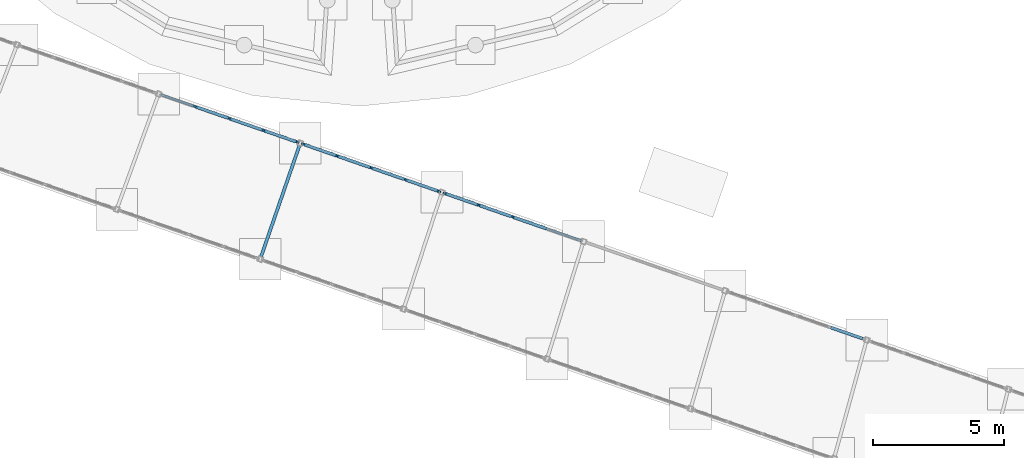
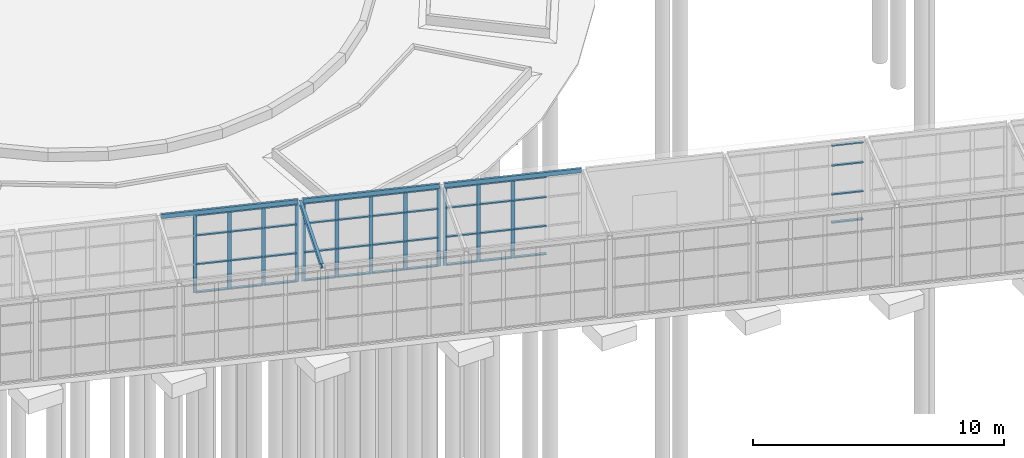
# One storey, part 54 of 226: 56 members, 4 beams, 4 elements without a shape of their own.
"""IFC4 building model written with IfcOpenShell, lengths in metres."""

from ifc_helpers import new_model, si_unit, direction, frame, origin, origin_2d, place, context, subcontext, project, spatial, rectangle, hollow_rectangle, i_section, extrude, material, material_profile, profile_set, type_object, element, aggregate, save


model = new_model("IFC4")

# Units and contexts
model_context = context("Model", 3, precision=1e-05, world=origin(), true_north=direction((0.0, 1.0)))
body_context = subcontext(model_context, "Body", "Model", "MODEL_VIEW")
ifc_project = project(units=[si_unit("LENGTHUNIT", "METRE"), si_unit("AREAUNIT", "SQUARE_METRE"), si_unit("VOLUMEUNIT", "CUBIC_METRE"), si_unit("PLANEANGLEUNIT", "RADIAN"), si_unit("MASSUNIT", "GRAM", prefix="KILO")], contexts=[model_context])

# Site, building, storey
site_placement = place(None, origin())
site = spatial("IfcSite", under=ifc_project, at=site_placement, CompositionType="ELEMENT")
building_placement = place(site_placement, origin())
building = spatial("IfcBuilding", under=site, at=building_placement, Name="Ceibo Conservatory and Research Tower", CompositionType="ELEMENT")
storey_placement = place(building_placement, origin())
storey = spatial("IfcBuildingStorey", under=building, at=storey_placement, Name="L00", CompositionType="ELEMENT", Elevation=0.0)

# Curtain wall, members
ifc_material_1 = material(Name="Aluminium and glass", Category="aluminium")
curtain_wall_type = type_object("IfcCurtainWallType", Name="Gallery curtain wall", PredefinedType="NOTDEFINED", material=ifc_material_1)
curtain_wall_1_placement = place(storey_placement, origin())
curtain_wall_1 = element("IfcCurtainWall", 1, at=curtain_wall_1_placement, inside=storey, type_object=curtain_wall_type, Name="Gallery curtain wall AUD-VC-CWN05", PredefinedType="NOTDEFINED")
ifc_material_2 = material(Name="Aluminium", Category="aluminium")
ifc_material_profile_1 = material_profile(ifc_material_2, rectangle(XDim=0.06005859375, YDim=0.159912109375, at=origin_2d()), Name="AL 60x160")
ifc_profile_set_1 = profile_set([ifc_material_profile_1], Name="Aluminium")
member_type_1 = type_object("IfcMemberType", Name="Gallery mullion 60x160", PredefinedType="MULLION", material=ifc_profile_set_1)
member_1_placement = place(storey_placement, frame((89.704345703125, 61.981689453125, 0.0), z_axis=(0.0, 0.0, 1.0), x_axis=(0.328283515513, 0.944579236191, 0.0)))
member_1 = element("IfcMember", 2, at=member_1_placement, type_object=member_type_1, Name="AUD-VC-CWN05 mullion 2", PredefinedType="MULLION", context=body_context, shape_type="SweptSolid", body=[
    extrude(rectangle(XDim=0.06005859375, YDim=0.159912109375, at=origin_2d()), origin(), (0.0, 0.0, 1.0), 3.800048828125),
])
member_2_placement = place(storey_placement, frame((91.01220703125, 61.52734375, 0.0), z_axis=(0.0, 0.0, 1.0), x_axis=(0.328283515513, 0.944579236191, 0.0)))
member_2 = element("IfcMember", 3, at=member_2_placement, type_object=member_type_1, Name="AUD-VC-CWN05 mullion 3", PredefinedType="MULLION", context=body_context, shape_type="SweptSolid", body=[
    extrude(rectangle(XDim=0.06005859375, YDim=0.159912109375, at=origin_2d()), origin(), (0.0, 0.0, 1.0), 3.800048828125),
])
member_3_placement = place(storey_placement, frame((92.320068359375, 61.07275390625, 0.0), z_axis=(0.0, 0.0, 1.0), x_axis=(0.328283515513, 0.944579236191, 0.0)))
member_3 = element("IfcMember", 4, at=member_3_placement, type_object=member_type_1, Name="AUD-VC-CWN05 mullion 4", PredefinedType="MULLION", context=body_context, shape_type="SweptSolid", body=[
    extrude(rectangle(XDim=0.06005859375, YDim=0.159912109375, at=origin_2d()), origin(), (0.0, 0.0, 1.0), 3.800048828125),
])
member_4_placement = place(storey_placement, frame((93.599609375, 60.6279296875, 0.0), z_axis=(0.0, 0.0, 1.0), x_axis=(0.328283515513, 0.944579236191, 0.0)))
member_4 = element("IfcMember", 5, at=member_4_placement, type_object=member_type_1, Name="AUD-VC-CWN05 mullion 5", PredefinedType="MULLION", context=body_context, shape_type="SweptSolid", body=[
    extrude(rectangle(XDim=0.06005859375, YDim=0.159912109375, at=origin_2d()), origin(), (0.0, 0.0, 1.0), 3.800048828125),
])

curtain_wall_2_placement = place(storey_placement, origin())
curtain_wall_2 = element("IfcCurtainWall", 6, at=curtain_wall_2_placement, inside=storey, type_object=curtain_wall_type, Name="Gallery curtain wall AUD-VC-CWN06", PredefinedType="NOTDEFINED")
member_5_placement = place(storey_placement, frame((93.84521484375, 60.54248046875, 0.0), z_axis=(0.0, 0.0, 1.0), x_axis=(0.328283515513, 0.944579236191, 0.0)))
member_5 = element("IfcMember", 7, at=member_5_placement, type_object=member_type_1, Name="AUD-VC-CWN06 mullion 1", PredefinedType="MULLION", context=body_context, shape_type="SweptSolid", body=[
    extrude(rectangle(XDim=0.06005859375, YDim=0.159912109375, at=origin_2d()), origin(), (0.0, 0.0, 1.0), 3.800048828125),
])
member_6_placement = place(storey_placement, frame((95.124755859375, 60.097900390625, 0.0), z_axis=(0.0, 0.0, 1.0), x_axis=(0.328283515513, 0.944579236191, 0.0)))
member_6 = element("IfcMember", 8, at=member_6_placement, type_object=member_type_1, Name="AUD-VC-CWN06 mullion 2", PredefinedType="MULLION", context=body_context, shape_type="SweptSolid", body=[
    extrude(rectangle(XDim=0.06005859375, YDim=0.159912109375, at=origin_2d()), origin(), (0.0, 0.0, 1.0), 3.800048828125),
])
member_7_placement = place(storey_placement, frame((96.432861328125, 59.643310546875, 0.0), z_axis=(0.0, 0.0, 1.0), x_axis=(0.328283515513, 0.944579236191, 0.0)))
member_7 = element("IfcMember", 9, at=member_7_placement, type_object=member_type_1, Name="AUD-VC-CWN06 mullion 3", PredefinedType="MULLION", context=body_context, shape_type="SweptSolid", body=[
    extrude(rectangle(XDim=0.06005859375, YDim=0.159912109375, at=origin_2d()), origin(), (0.0, 0.0, 1.0), 3.800048828125),
])
member_8_placement = place(storey_placement, frame((97.74072265625, 59.188720703125, 0.0), z_axis=(0.0, 0.0, 1.0), x_axis=(0.328283515513, 0.944579236191, 0.0)))
member_8 = element("IfcMember", 10, at=member_8_placement, type_object=member_type_1, Name="AUD-VC-CWN06 mullion 4", PredefinedType="MULLION", context=body_context, shape_type="SweptSolid", body=[
    extrude(rectangle(XDim=0.06005859375, YDim=0.159912109375, at=origin_2d()), origin(), (0.0, 0.0, 1.0), 3.800048828125),
])
member_9_placement = place(storey_placement, frame((99.020263671875, 58.744140625, 0.0), z_axis=(0.0, 0.0, 1.0), x_axis=(0.328283515513, 0.944579236191, 0.0)))
member_9 = element("IfcMember", 11, at=member_9_placement, type_object=member_type_1, Name="AUD-VC-CWN06 mullion 5", PredefinedType="MULLION", context=body_context, shape_type="SweptSolid", body=[
    extrude(rectangle(XDim=0.06005859375, YDim=0.159912109375, at=origin_2d()), origin(), (0.0, 0.0, 1.0), 3.800048828125),
])

curtain_wall_3_placement = place(storey_placement, origin())
curtain_wall_3 = element("IfcCurtainWall", 12, at=curtain_wall_3_placement, inside=storey, type_object=curtain_wall_type, Name="Gallery curtain wall AUD-VC-CWN07", PredefinedType="NOTDEFINED")
member_10_placement = place(storey_placement, frame((99.265869140625, 58.65869140625, 0.0), z_axis=(0.0, 0.0, 1.0), x_axis=(0.328283515513, 0.944579236191, 0.0)))
member_10 = element("IfcMember", 13, at=member_10_placement, type_object=member_type_1, Name="AUD-VC-CWN07 mullion 1", PredefinedType="MULLION", context=body_context, shape_type="SweptSolid", body=[
    extrude(rectangle(XDim=0.06005859375, YDim=0.159912109375, at=origin_2d()), origin(), (0.0, 0.0, 1.0), 3.800048828125),
])
member_11_placement = place(storey_placement, frame((100.54541015625, 58.2138671875, 0.0), z_axis=(0.0, 0.0, 1.0), x_axis=(0.328283515513, 0.944579236191, 0.0)))
member_11 = element("IfcMember", 14, at=member_11_placement, type_object=member_type_1, Name="AUD-VC-CWN07 mullion 2", PredefinedType="MULLION", context=body_context, shape_type="SweptSolid", body=[
    extrude(rectangle(XDim=0.06005859375, YDim=0.159912109375, at=origin_2d()), origin(), (0.0, 0.0, 1.0), 3.800048828125),
])
member_12_placement = place(storey_placement, frame((101.853271484375, 57.759521484375, 0.0), z_axis=(0.0, 0.0, 1.0), x_axis=(0.328283515513, 0.944579236191, 0.0)))
member_12 = element("IfcMember", 15, at=member_12_placement, type_object=member_type_1, Name="AUD-VC-CWN07 mullion 3", PredefinedType="MULLION", context=body_context, shape_type="SweptSolid", body=[
    extrude(rectangle(XDim=0.06005859375, YDim=0.159912109375, at=origin_2d()), origin(), (0.0, 0.0, 1.0), 3.800048828125),
])

# Member
ifc_material_profile_2 = material_profile(ifc_material_2, rectangle(XDim=0.1201171875, YDim=0.06005859375, at=origin_2d()), Name="AL 60x120")
ifc_profile_set_2 = profile_set([ifc_material_profile_2], Name="Aluminium")
member_type_2 = type_object("IfcMemberType", Name="Gallery transom 60x120", PredefinedType="USERDEFINED", material=ifc_profile_set_2)
member_13_placement = place(storey_placement, frame((89.732666015625, 61.971923828125, 0.030029296875), z_axis=(0.944588759267, -0.32825611322, 0.0), x_axis=(0.32825611322, 0.944588759267, 0.0)))
member_13 = element("IfcMember", 16, at=member_13_placement, type_object=member_type_2, Name="AUD-VC-CWN05 transom 2.1", ObjectType="TRANSOM", PredefinedType="USERDEFINED", context=body_context, shape_type="SweptSolid", body=[
    extrude(rectangle(XDim=0.1201171875, YDim=0.06005859375, at=origin_2d()), origin(), (0.0, 0.0, 1.0), 1.32470703125),
])

member_14_placement = place(storey_placement, frame((89.732666015625, 61.971923828125, 1.39990234375), z_axis=(0.944588759267, -0.32825611322, 0.0), x_axis=(0.32825611322, 0.944588759267, 0.0)))
member_14 = element("IfcMember", 17, at=member_14_placement, type_object=member_type_2, Name="AUD-VC-CWN05 transom 2.2", ObjectType="TRANSOM", PredefinedType="USERDEFINED", context=body_context, shape_type="SweptSolid", body=[
    extrude(rectangle(XDim=0.1201171875, YDim=0.06005859375, at=origin_2d()), origin(), (0.0, 0.0, 1.0), 1.32470703125),
])

member_15_placement = place(storey_placement, frame((89.732666015625, 61.971923828125, 2.800048828125), z_axis=(0.944588759267, -0.32825611322, 0.0), x_axis=(0.32825611322, 0.944588759267, 0.0)))
member_15 = element("IfcMember", 18, at=member_15_placement, type_object=member_type_2, Name="AUD-VC-CWN05 transom 2.3", ObjectType="TRANSOM", PredefinedType="USERDEFINED", context=body_context, shape_type="SweptSolid", body=[
    extrude(rectangle(XDim=0.1201171875, YDim=0.06005859375, at=origin_2d()), origin(), (0.0, 0.0, 1.0), 1.32470703125),
])

member_16_placement = place(storey_placement, frame((89.732666015625, 61.971923828125, 3.77001953125), z_axis=(0.944588759267, -0.32825611322, 0.0), x_axis=(0.32825611322, 0.944588759267, 0.0)))
member_16 = element("IfcMember", 19, at=member_16_placement, type_object=member_type_2, Name="AUD-VC-CWN05 transom 2.4", ObjectType="TRANSOM", PredefinedType="USERDEFINED", context=body_context, shape_type="SweptSolid", body=[
    extrude(rectangle(XDim=0.1201171875, YDim=0.06005859375, at=origin_2d()), origin(), (0.0, 0.0, 1.0), 1.32470703125),
])

member_17_placement = place(storey_placement, frame((91.04052734375, 61.517333984375, 0.030029296875), z_axis=(0.944588759267, -0.32825611322, 0.0), x_axis=(0.32825611322, 0.944588759267, 0.0)))
member_17 = element("IfcMember", 20, at=member_17_placement, type_object=member_type_2, Name="AUD-VC-CWN05 transom 3.1", ObjectType="TRANSOM", PredefinedType="USERDEFINED", context=body_context, shape_type="SweptSolid", body=[
    extrude(rectangle(XDim=0.1201171875, YDim=0.06005859375, at=origin_2d()), origin(), (0.0, 0.0, 1.0), 1.32470703125),
])

member_18_placement = place(storey_placement, frame((91.04052734375, 61.517333984375, 1.39990234375), z_axis=(0.944588759267, -0.32825611322, 0.0), x_axis=(0.32825611322, 0.944588759267, 0.0)))
member_18 = element("IfcMember", 21, at=member_18_placement, type_object=member_type_2, Name="AUD-VC-CWN05 transom 3.2", ObjectType="TRANSOM", PredefinedType="USERDEFINED", context=body_context, shape_type="SweptSolid", body=[
    extrude(rectangle(XDim=0.1201171875, YDim=0.06005859375, at=origin_2d()), origin(), (0.0, 0.0, 1.0), 1.32470703125),
])

member_19_placement = place(storey_placement, frame((91.04052734375, 61.517333984375, 2.800048828125), z_axis=(0.944588759267, -0.32825611322, 0.0), x_axis=(0.32825611322, 0.944588759267, 0.0)))
member_19 = element("IfcMember", 22, at=member_19_placement, type_object=member_type_2, Name="AUD-VC-CWN05 transom 3.3", ObjectType="TRANSOM", PredefinedType="USERDEFINED", context=body_context, shape_type="SweptSolid", body=[
    extrude(rectangle(XDim=0.1201171875, YDim=0.06005859375, at=origin_2d()), origin(), (0.0, 0.0, 1.0), 1.32470703125),
])

member_20_placement = place(storey_placement, frame((91.04052734375, 61.517333984375, 3.77001953125), z_axis=(0.944588759267, -0.32825611322, 0.0), x_axis=(0.32825611322, 0.944588759267, 0.0)))
member_20 = element("IfcMember", 23, at=member_20_placement, type_object=member_type_2, Name="AUD-VC-CWN05 transom 3.4", ObjectType="TRANSOM", PredefinedType="USERDEFINED", context=body_context, shape_type="SweptSolid", body=[
    extrude(rectangle(XDim=0.1201171875, YDim=0.06005859375, at=origin_2d()), origin(), (0.0, 0.0, 1.0), 1.32470703125),
])

member_21_placement = place(storey_placement, frame((92.348388671875, 61.062744140625, 0.030029296875), z_axis=(0.944570549154, -0.328308509898, 0.0), x_axis=(0.328308509898, 0.944570549154, 0.0)))
member_21 = element("IfcMember", 24, at=member_21_placement, type_object=member_type_2, Name="AUD-VC-CWN05 transom 4.1", ObjectType="TRANSOM", PredefinedType="USERDEFINED", context=body_context, shape_type="SweptSolid", body=[
    extrude(rectangle(XDim=0.1201171875, YDim=0.06005859375, at=origin_2d()), origin(), (0.0, 0.0, 1.0), 1.294677734375),
])

member_22_placement = place(storey_placement, frame((92.348388671875, 61.062744140625, 1.39990234375), z_axis=(0.944570549154, -0.328308509898, 0.0), x_axis=(0.328308509898, 0.944570549154, 0.0)))
member_22 = element("IfcMember", 25, at=member_22_placement, type_object=member_type_2, Name="AUD-VC-CWN05 transom 4.2", ObjectType="TRANSOM", PredefinedType="USERDEFINED", context=body_context, shape_type="SweptSolid", body=[
    extrude(rectangle(XDim=0.1201171875, YDim=0.06005859375, at=origin_2d()), origin(), (0.0, 0.0, 1.0), 1.294677734375),
])

member_23_placement = place(storey_placement, frame((92.348388671875, 61.062744140625, 2.800048828125), z_axis=(0.944570549154, -0.328308509898, 0.0), x_axis=(0.328308509898, 0.944570549154, 0.0)))
member_23 = element("IfcMember", 26, at=member_23_placement, type_object=member_type_2, Name="AUD-VC-CWN05 transom 4.3", ObjectType="TRANSOM", PredefinedType="USERDEFINED", context=body_context, shape_type="SweptSolid", body=[
    extrude(rectangle(XDim=0.1201171875, YDim=0.06005859375, at=origin_2d()), origin(), (0.0, 0.0, 1.0), 1.294677734375),
])

member_24_placement = place(storey_placement, frame((92.348388671875, 61.062744140625, 3.77001953125), z_axis=(0.944570549154, -0.328308509898, 0.0), x_axis=(0.328308509898, 0.944570549154, 0.0)))
member_24 = element("IfcMember", 27, at=member_24_placement, type_object=member_type_2, Name="AUD-VC-CWN05 transom 4.4", ObjectType="TRANSOM", PredefinedType="USERDEFINED", context=body_context, shape_type="SweptSolid", body=[
    extrude(rectangle(XDim=0.1201171875, YDim=0.06005859375, at=origin_2d()), origin(), (0.0, 0.0, 1.0), 1.294677734375),
])

aggregate(curtain_wall_1, [member_1, member_2, member_3, member_4, member_13, member_14, member_15, member_16, member_17, member_18, member_19, member_20, member_21, member_22, member_23, member_24])

member_25_placement = place(storey_placement, frame((93.87353515625, 60.53271484375, 0.030029296875), z_axis=(0.944570549154, -0.328308509898, 0.0), x_axis=(0.328308509898, 0.944570549154, 0.0)))
member_25 = element("IfcMember", 28, at=member_25_placement, type_object=member_type_2, Name="AUD-VC-CWN06 transom 1.1", ObjectType="TRANSOM", PredefinedType="USERDEFINED", context=body_context, shape_type="SweptSolid", body=[
    extrude(rectangle(XDim=0.1201171875, YDim=0.06005859375, at=origin_2d()), origin(), (0.0, 0.0, 1.0), 1.294677734375),
])

member_26_placement = place(storey_placement, frame((93.87353515625, 60.53271484375, 1.39990234375), z_axis=(0.944570549154, -0.328308509898, 0.0), x_axis=(0.328308509898, 0.944570549154, 0.0)))
member_26 = element("IfcMember", 29, at=member_26_placement, type_object=member_type_2, Name="AUD-VC-CWN06 transom 1.2", ObjectType="TRANSOM", PredefinedType="USERDEFINED", context=body_context, shape_type="SweptSolid", body=[
    extrude(rectangle(XDim=0.1201171875, YDim=0.06005859375, at=origin_2d()), origin(), (0.0, 0.0, 1.0), 1.294677734375),
])

member_27_placement = place(storey_placement, frame((93.87353515625, 60.53271484375, 2.800048828125), z_axis=(0.944570549154, -0.328308509898, 0.0), x_axis=(0.328308509898, 0.944570549154, 0.0)))
member_27 = element("IfcMember", 30, at=member_27_placement, type_object=member_type_2, Name="AUD-VC-CWN06 transom 1.3", ObjectType="TRANSOM", PredefinedType="USERDEFINED", context=body_context, shape_type="SweptSolid", body=[
    extrude(rectangle(XDim=0.1201171875, YDim=0.06005859375, at=origin_2d()), origin(), (0.0, 0.0, 1.0), 1.294677734375),
])

member_28_placement = place(storey_placement, frame((93.87353515625, 60.53271484375, 3.77001953125), z_axis=(0.944570549154, -0.328308509898, 0.0), x_axis=(0.328308509898, 0.944570549154, 0.0)))
member_28 = element("IfcMember", 31, at=member_28_placement, type_object=member_type_2, Name="AUD-VC-CWN06 transom 1.4", ObjectType="TRANSOM", PredefinedType="USERDEFINED", context=body_context, shape_type="SweptSolid", body=[
    extrude(rectangle(XDim=0.1201171875, YDim=0.06005859375, at=origin_2d()), origin(), (0.0, 0.0, 1.0), 1.294677734375),
])

member_29_placement = place(storey_placement, frame((95.1533203125, 60.088134765625, 0.030029296875), z_axis=(0.944531599956, -0.328420548512, 0.0), x_axis=(0.328420548512, 0.944531599956, 0.0)))
member_29 = element("IfcMember", 32, at=member_29_placement, type_object=member_type_2, Name="AUD-VC-CWN06 transom 2.1", ObjectType="TRANSOM", PredefinedType="USERDEFINED", context=body_context, shape_type="SweptSolid", body=[
    extrude(rectangle(XDim=0.1201171875, YDim=0.06005859375, at=origin_2d()), origin(), (0.0, 0.0, 1.0), 1.32470703125),
])

member_30_placement = place(storey_placement, frame((95.1533203125, 60.088134765625, 1.39990234375), z_axis=(0.944531599956, -0.328420548512, 0.0), x_axis=(0.328420548512, 0.944531599956, 0.0)))
member_30 = element("IfcMember", 33, at=member_30_placement, type_object=member_type_2, Name="AUD-VC-CWN06 transom 2.2", ObjectType="TRANSOM", PredefinedType="USERDEFINED", context=body_context, shape_type="SweptSolid", body=[
    extrude(rectangle(XDim=0.1201171875, YDim=0.06005859375, at=origin_2d()), origin(), (0.0, 0.0, 1.0), 1.32470703125),
])

member_31_placement = place(storey_placement, frame((95.1533203125, 60.088134765625, 2.800048828125), z_axis=(0.944531599956, -0.328420548512, 0.0), x_axis=(0.328420548512, 0.944531599956, 0.0)))
member_31 = element("IfcMember", 34, at=member_31_placement, type_object=member_type_2, Name="AUD-VC-CWN06 transom 2.3", ObjectType="TRANSOM", PredefinedType="USERDEFINED", context=body_context, shape_type="SweptSolid", body=[
    extrude(rectangle(XDim=0.1201171875, YDim=0.06005859375, at=origin_2d()), origin(), (0.0, 0.0, 1.0), 1.32470703125),
])

member_32_placement = place(storey_placement, frame((95.1533203125, 60.088134765625, 3.77001953125), z_axis=(0.944531599956, -0.328420548512, 0.0), x_axis=(0.328420548512, 0.944531599956, 0.0)))
member_32 = element("IfcMember", 35, at=member_32_placement, type_object=member_type_2, Name="AUD-VC-CWN06 transom 2.4", ObjectType="TRANSOM", PredefinedType="USERDEFINED", context=body_context, shape_type="SweptSolid", body=[
    extrude(rectangle(XDim=0.1201171875, YDim=0.06005859375, at=origin_2d()), origin(), (0.0, 0.0, 1.0), 1.32470703125),
])

member_33_placement = place(storey_placement, frame((96.461181640625, 59.633544921875, 0.030029296875), z_axis=(0.944588759267, -0.32825611322, 0.0), x_axis=(0.32825611322, 0.944588759267, 0.0)))
member_33 = element("IfcMember", 36, at=member_33_placement, type_object=member_type_2, Name="AUD-VC-CWN06 transom 3.1", ObjectType="TRANSOM", PredefinedType="USERDEFINED", context=body_context, shape_type="SweptSolid", body=[
    extrude(rectangle(XDim=0.1201171875, YDim=0.06005859375, at=origin_2d()), origin(), (0.0, 0.0, 1.0), 1.32470703125),
])

member_34_placement = place(storey_placement, frame((96.461181640625, 59.633544921875, 1.39990234375), z_axis=(0.944588759267, -0.32825611322, 0.0), x_axis=(0.32825611322, 0.944588759267, 0.0)))
member_34 = element("IfcMember", 37, at=member_34_placement, type_object=member_type_2, Name="AUD-VC-CWN06 transom 3.2", ObjectType="TRANSOM", PredefinedType="USERDEFINED", context=body_context, shape_type="SweptSolid", body=[
    extrude(rectangle(XDim=0.1201171875, YDim=0.06005859375, at=origin_2d()), origin(), (0.0, 0.0, 1.0), 1.32470703125),
])

member_35_placement = place(storey_placement, frame((96.461181640625, 59.633544921875, 2.800048828125), z_axis=(0.944588759267, -0.32825611322, 0.0), x_axis=(0.32825611322, 0.944588759267, 0.0)))
member_35 = element("IfcMember", 38, at=member_35_placement, type_object=member_type_2, Name="AUD-VC-CWN06 transom 3.3", ObjectType="TRANSOM", PredefinedType="USERDEFINED", context=body_context, shape_type="SweptSolid", body=[
    extrude(rectangle(XDim=0.1201171875, YDim=0.06005859375, at=origin_2d()), origin(), (0.0, 0.0, 1.0), 1.32470703125),
])

member_36_placement = place(storey_placement, frame((96.461181640625, 59.633544921875, 3.77001953125), z_axis=(0.944588759267, -0.32825611322, 0.0), x_axis=(0.32825611322, 0.944588759267, 0.0)))
member_36 = element("IfcMember", 39, at=member_36_placement, type_object=member_type_2, Name="AUD-VC-CWN06 transom 3.4", ObjectType="TRANSOM", PredefinedType="USERDEFINED", context=body_context, shape_type="SweptSolid", body=[
    extrude(rectangle(XDim=0.1201171875, YDim=0.06005859375, at=origin_2d()), origin(), (0.0, 0.0, 1.0), 1.32470703125),
])

member_37_placement = place(storey_placement, frame((97.76904296875, 59.178955078125, 0.030029296875), z_axis=(0.944570549154, -0.328308509898, 0.0), x_axis=(0.328308509898, 0.944570549154, 0.0)))
member_37 = element("IfcMember", 40, at=member_37_placement, type_object=member_type_2, Name="AUD-VC-CWN06 transom 4.1", ObjectType="TRANSOM", PredefinedType="USERDEFINED", context=body_context, shape_type="SweptSolid", body=[
    extrude(rectangle(XDim=0.1201171875, YDim=0.06005859375, at=origin_2d()), origin(), (0.0, 0.0, 1.0), 1.294677734375),
])

member_38_placement = place(storey_placement, frame((97.76904296875, 59.178955078125, 1.39990234375), z_axis=(0.944570549154, -0.328308509898, 0.0), x_axis=(0.328308509898, 0.944570549154, 0.0)))
member_38 = element("IfcMember", 41, at=member_38_placement, type_object=member_type_2, Name="AUD-VC-CWN06 transom 4.2", ObjectType="TRANSOM", PredefinedType="USERDEFINED", context=body_context, shape_type="SweptSolid", body=[
    extrude(rectangle(XDim=0.1201171875, YDim=0.06005859375, at=origin_2d()), origin(), (0.0, 0.0, 1.0), 1.294677734375),
])

member_39_placement = place(storey_placement, frame((97.76904296875, 59.178955078125, 2.800048828125), z_axis=(0.944570549154, -0.328308509898, 0.0), x_axis=(0.328308509898, 0.944570549154, 0.0)))
member_39 = element("IfcMember", 42, at=member_39_placement, type_object=member_type_2, Name="AUD-VC-CWN06 transom 4.3", ObjectType="TRANSOM", PredefinedType="USERDEFINED", context=body_context, shape_type="SweptSolid", body=[
    extrude(rectangle(XDim=0.1201171875, YDim=0.06005859375, at=origin_2d()), origin(), (0.0, 0.0, 1.0), 1.294677734375),
])

member_40_placement = place(storey_placement, frame((97.76904296875, 59.178955078125, 3.77001953125), z_axis=(0.944570549154, -0.328308509898, 0.0), x_axis=(0.328308509898, 0.944570549154, 0.0)))
member_40 = element("IfcMember", 43, at=member_40_placement, type_object=member_type_2, Name="AUD-VC-CWN06 transom 4.4", ObjectType="TRANSOM", PredefinedType="USERDEFINED", context=body_context, shape_type="SweptSolid", body=[
    extrude(rectangle(XDim=0.1201171875, YDim=0.06005859375, at=origin_2d()), origin(), (0.0, 0.0, 1.0), 1.294677734375),
])

aggregate(curtain_wall_2, [member_5, member_6, member_7, member_8, member_9, member_25, member_26, member_27, member_28, member_29, member_30, member_31, member_32, member_33, member_34, member_35, member_36, member_37, member_38, member_39, member_40])

member_41_placement = place(storey_placement, frame((99.294189453125, 58.64892578125, 0.030029296875), z_axis=(0.944570549154, -0.328308509898, 0.0), x_axis=(0.328308509898, 0.944570549154, 0.0)))
member_41 = element("IfcMember", 44, at=member_41_placement, type_object=member_type_2, Name="AUD-VC-CWN07 transom 1.1", ObjectType="TRANSOM", PredefinedType="USERDEFINED", context=body_context, shape_type="SweptSolid", body=[
    extrude(rectangle(XDim=0.1201171875, YDim=0.06005859375, at=origin_2d()), origin(), (0.0, 0.0, 1.0), 1.294677734375),
])

member_42_placement = place(storey_placement, frame((99.294189453125, 58.64892578125, 1.39990234375), z_axis=(0.944570549154, -0.328308509898, 0.0), x_axis=(0.328308509898, 0.944570549154, 0.0)))
member_42 = element("IfcMember", 45, at=member_42_placement, type_object=member_type_2, Name="AUD-VC-CWN07 transom 1.2", ObjectType="TRANSOM", PredefinedType="USERDEFINED", context=body_context, shape_type="SweptSolid", body=[
    extrude(rectangle(XDim=0.1201171875, YDim=0.06005859375, at=origin_2d()), origin(), (0.0, 0.0, 1.0), 1.294677734375),
])

member_43_placement = place(storey_placement, frame((99.294189453125, 58.64892578125, 2.800048828125), z_axis=(0.944570549154, -0.328308509898, 0.0), x_axis=(0.328308509898, 0.944570549154, 0.0)))
member_43 = element("IfcMember", 46, at=member_43_placement, type_object=member_type_2, Name="AUD-VC-CWN07 transom 1.3", ObjectType="TRANSOM", PredefinedType="USERDEFINED", context=body_context, shape_type="SweptSolid", body=[
    extrude(rectangle(XDim=0.1201171875, YDim=0.06005859375, at=origin_2d()), origin(), (0.0, 0.0, 1.0), 1.294677734375),
])

member_44_placement = place(storey_placement, frame((99.294189453125, 58.64892578125, 3.77001953125), z_axis=(0.944570549154, -0.328308509898, 0.0), x_axis=(0.328308509898, 0.944570549154, 0.0)))
member_44 = element("IfcMember", 47, at=member_44_placement, type_object=member_type_2, Name="AUD-VC-CWN07 transom 1.4", ObjectType="TRANSOM", PredefinedType="USERDEFINED", context=body_context, shape_type="SweptSolid", body=[
    extrude(rectangle(XDim=0.1201171875, YDim=0.06005859375, at=origin_2d()), origin(), (0.0, 0.0, 1.0), 1.294677734375),
])

member_45_placement = place(storey_placement, frame((100.57373046875, 58.2041015625, 0.030029296875), z_axis=(0.944588759267, -0.32825611322, 0.0), x_axis=(0.32825611322, 0.944588759267, 0.0)))
member_45 = element("IfcMember", 48, at=member_45_placement, type_object=member_type_2, Name="AUD-VC-CWN07 transom 2.1", ObjectType="TRANSOM", PredefinedType="USERDEFINED", context=body_context, shape_type="SweptSolid", body=[
    extrude(rectangle(XDim=0.1201171875, YDim=0.06005859375, at=origin_2d()), origin(), (0.0, 0.0, 1.0), 1.32470703125),
])

member_46_placement = place(storey_placement, frame((100.57373046875, 58.2041015625, 1.39990234375), z_axis=(0.944588759267, -0.32825611322, 0.0), x_axis=(0.32825611322, 0.944588759267, 0.0)))
member_46 = element("IfcMember", 49, at=member_46_placement, type_object=member_type_2, Name="AUD-VC-CWN07 transom 2.2", ObjectType="TRANSOM", PredefinedType="USERDEFINED", context=body_context, shape_type="SweptSolid", body=[
    extrude(rectangle(XDim=0.1201171875, YDim=0.06005859375, at=origin_2d()), origin(), (0.0, 0.0, 1.0), 1.32470703125),
])

member_47_placement = place(storey_placement, frame((100.57373046875, 58.2041015625, 2.800048828125), z_axis=(0.944588759267, -0.32825611322, 0.0), x_axis=(0.32825611322, 0.944588759267, 0.0)))
member_47 = element("IfcMember", 50, at=member_47_placement, type_object=member_type_2, Name="AUD-VC-CWN07 transom 2.3", ObjectType="TRANSOM", PredefinedType="USERDEFINED", context=body_context, shape_type="SweptSolid", body=[
    extrude(rectangle(XDim=0.1201171875, YDim=0.06005859375, at=origin_2d()), origin(), (0.0, 0.0, 1.0), 1.32470703125),
])

member_48_placement = place(storey_placement, frame((100.57373046875, 58.2041015625, 3.77001953125), z_axis=(0.944588759267, -0.32825611322, 0.0), x_axis=(0.32825611322, 0.944588759267, 0.0)))
member_48 = element("IfcMember", 51, at=member_48_placement, type_object=member_type_2, Name="AUD-VC-CWN07 transom 2.4", ObjectType="TRANSOM", PredefinedType="USERDEFINED", context=body_context, shape_type="SweptSolid", body=[
    extrude(rectangle(XDim=0.1201171875, YDim=0.06005859375, at=origin_2d()), origin(), (0.0, 0.0, 1.0), 1.32470703125),
])

member_49_placement = place(storey_placement, frame((101.8818359375, 57.74951171875, 0.030029296875), z_axis=(0.944588759267, -0.32825611322, 0.0), x_axis=(0.32825611322, 0.944588759267, 0.0)))
member_49 = element("IfcMember", 52, at=member_49_placement, type_object=member_type_2, Name="AUD-VC-CWN07 transom 3.1", ObjectType="TRANSOM", PredefinedType="USERDEFINED", context=body_context, shape_type="SweptSolid", body=[
    extrude(rectangle(XDim=0.1201171875, YDim=0.06005859375, at=origin_2d()), origin(), (0.0, 0.0, 1.0), 1.32470703125),
])

member_50_placement = place(storey_placement, frame((101.8818359375, 57.74951171875, 1.39990234375), z_axis=(0.944588759267, -0.32825611322, 0.0), x_axis=(0.32825611322, 0.944588759267, 0.0)))
member_50 = element("IfcMember", 53, at=member_50_placement, type_object=member_type_2, Name="AUD-VC-CWN07 transom 3.2", ObjectType="TRANSOM", PredefinedType="USERDEFINED", context=body_context, shape_type="SweptSolid", body=[
    extrude(rectangle(XDim=0.1201171875, YDim=0.06005859375, at=origin_2d()), origin(), (0.0, 0.0, 1.0), 1.32470703125),
])

member_51_placement = place(storey_placement, frame((101.8818359375, 57.74951171875, 2.800048828125), z_axis=(0.944588759267, -0.32825611322, 0.0), x_axis=(0.32825611322, 0.944588759267, 0.0)))
member_51 = element("IfcMember", 54, at=member_51_placement, type_object=member_type_2, Name="AUD-VC-CWN07 transom 3.3", ObjectType="TRANSOM", PredefinedType="USERDEFINED", context=body_context, shape_type="SweptSolid", body=[
    extrude(rectangle(XDim=0.1201171875, YDim=0.06005859375, at=origin_2d()), origin(), (0.0, 0.0, 1.0), 1.32470703125),
])

member_52_placement = place(storey_placement, frame((101.8818359375, 57.74951171875, 3.77001953125), z_axis=(0.944588759267, -0.32825611322, 0.0), x_axis=(0.32825611322, 0.944588759267, 0.0)))
member_52 = element("IfcMember", 55, at=member_52_placement, type_object=member_type_2, Name="AUD-VC-CWN07 transom 3.4", ObjectType="TRANSOM", PredefinedType="USERDEFINED", context=body_context, shape_type="SweptSolid", body=[
    extrude(rectangle(XDim=0.1201171875, YDim=0.06005859375, at=origin_2d()), origin(), (0.0, 0.0, 1.0), 1.32470703125),
])

aggregate(curtain_wall_3, [member_10, member_11, member_12, member_41, member_42, member_43, member_44, member_45, member_46, member_47, member_48, member_49, member_50, member_51, member_52])

# Curtain wall, members
curtain_wall_4_placement = place(storey_placement, origin())
curtain_wall_4 = element("IfcCurtainWall", 56, at=curtain_wall_4_placement, inside=storey, type_object=curtain_wall_type, Name="Gallery curtain wall AUD-VC-CWN09", PredefinedType="NOTDEFINED")
member_53_placement = place(storey_placement, frame((114.03076171875, 53.527099609375, 0.030029296875), z_axis=(0.944629016784, -0.328140245399, 0.0), x_axis=(0.328140245399, 0.944629016784, 0.0)))
member_53 = element("IfcMember", 57, at=member_53_placement, type_object=member_type_2, Name="AUD-VC-CWN09 transom 4.1", ObjectType="TRANSOM", PredefinedType="USERDEFINED", context=body_context, shape_type="SweptSolid", body=[
    extrude(rectangle(XDim=0.1201171875, YDim=0.06005859375, at=origin_2d()), origin(), (0.0, 0.0, 1.0), 1.294677734375),
])
member_54_placement = place(storey_placement, frame((114.03076171875, 53.527099609375, 1.39990234375), z_axis=(0.944629016784, -0.328140245399, 0.0), x_axis=(0.328140245399, 0.944629016784, 0.0)))
member_54 = element("IfcMember", 58, at=member_54_placement, type_object=member_type_2, Name="AUD-VC-CWN09 transom 4.2", ObjectType="TRANSOM", PredefinedType="USERDEFINED", context=body_context, shape_type="SweptSolid", body=[
    extrude(rectangle(XDim=0.1201171875, YDim=0.06005859375, at=origin_2d()), origin(), (0.0, 0.0, 1.0), 1.294677734375),
])
member_55_placement = place(storey_placement, frame((114.03076171875, 53.527099609375, 2.800048828125), z_axis=(0.944629016784, -0.328140245399, 0.0), x_axis=(0.328140245399, 0.944629016784, 0.0)))
member_55 = element("IfcMember", 59, at=member_55_placement, type_object=member_type_2, Name="AUD-VC-CWN09 transom 4.3", ObjectType="TRANSOM", PredefinedType="USERDEFINED", context=body_context, shape_type="SweptSolid", body=[
    extrude(rectangle(XDim=0.1201171875, YDim=0.06005859375, at=origin_2d()), origin(), (0.0, 0.0, 1.0), 1.294677734375),
])
member_56_placement = place(storey_placement, frame((114.03076171875, 53.527099609375, 3.77001953125), z_axis=(0.944629016784, -0.328140245399, 0.0), x_axis=(0.328140245399, 0.944629016784, 0.0)))
member_56 = element("IfcMember", 60, at=member_56_placement, type_object=member_type_2, Name="AUD-VC-CWN09 transom 4.4", ObjectType="TRANSOM", PredefinedType="USERDEFINED", context=body_context, shape_type="SweptSolid", body=[
    extrude(rectangle(XDim=0.1201171875, YDim=0.06005859375, at=origin_2d()), origin(), (0.0, 0.0, 1.0), 1.294677734375),
])
aggregate(curtain_wall_4, [member_53, member_54, member_55, member_56])

# Beams
ifc_material_3 = material(Name="Steel S355J2", Category="steel")
ifc_material_profile_3 = material_profile(ifc_material_3, i_section(OverallWidth=0.1201171875, OverallDepth=0.239990234375, WebThickness=0.006103515625, FlangeThickness=0.009765625, at=origin_2d()), Name="IPE 240")
ifc_profile_set_3 = profile_set([ifc_material_profile_3], Name="Steel S355J2")
beam_type_1 = type_object("IfcBeamType", Name="IPE 240 roof beam", PredefinedType="BEAM", material=ifc_profile_set_3)
beam_1_placement = place(storey_placement, frame((93.69140625, 60.49560546875, 3.8798828125), z_axis=(-0.326521132075, -0.945189901717, 0.0), x_axis=(0.945189901717, -0.326521132075, 0.0)))
element("IfcBeam", 61, at=beam_1_placement, inside=storey, type_object=beam_type_1, Name="Gallery roof beam AUD-VC-RB05", PredefinedType="BEAM", context=body_context, shape_type="SweptSolid", body=[
    extrude(i_section(OverallWidth=0.1201171875, OverallDepth=0.239990234375, WebThickness=0.006103515625, FlangeThickness=0.009765625, at=origin_2d()), origin(), (0.0, 0.0, 1.0), 4.51025390625),
])
ifc_material_4 = material(Name="Steel S355J2H", Category="steel")
ifc_material_profile_4 = material_profile(ifc_material_4, hollow_rectangle(XDim=0.10009765625, YDim=0.199951171875, WallThickness=0.008056640625, at=origin_2d()), Name="RHS 200x100x8 edge beam")
ifc_profile_set_4 = profile_set([ifc_material_profile_4], Name="Steel S355J2H")
beam_type_2 = type_object("IfcBeamType", Name="RHS 200x100x8 edge beam", PredefinedType="BEAM", material=ifc_profile_set_4)
for number, where, z_axis, x_axis, name in (
    (62, (88.3916015625, 62.43798828125, 3.89990234375), (0.944580461491, -0.328279989901, 0.0), (0.328279989901, 0.944580461491, 0.0), "Gallery edge beam AUD-VC-EBN05"),
    (63, (93.812255859375, 60.55419921875, 3.89990234375), (0.944580461491, -0.328279989901, 0.0), (0.328279989901, 0.944580461491, 0.0), "Gallery edge beam AUD-VC-EBN06"),
):
    element("IfcBeam", number, at=place(storey_placement, frame(where, z_axis=z_axis, x_axis=x_axis)), inside=storey, type_object=beam_type_2, Name=name, PredefinedType="BEAM", context=body_context, shape_type="SweptSolid", body=[
        extrude(hollow_rectangle(XDim=0.10009765625, YDim=0.199951171875, WallThickness=0.008056640625, at=origin_2d()), origin(), (0.0, 0.0, 1.0), 5.548828125),
    ])
beam_2_placement = place(storey_placement, frame((99.23291015625, 58.670166015625, 3.89990234375), z_axis=(0.944575719472, -0.328293634089, 0.0), x_axis=(0.328293634089, 0.944575719472, 0.0)))
element("IfcBeam", 64, at=beam_2_placement, inside=storey, type_object=beam_type_2, Name="Gallery edge beam AUD-VC-EBN07", PredefinedType="BEAM", context=body_context, shape_type="SweptSolid", body=[
    extrude(hollow_rectangle(XDim=0.10009765625, YDim=0.199951171875, WallThickness=0.008056640625, at=origin_2d()), origin(), (0.0, 0.0, 1.0), 5.548583984375),
])

save(model, "model.ifc")
